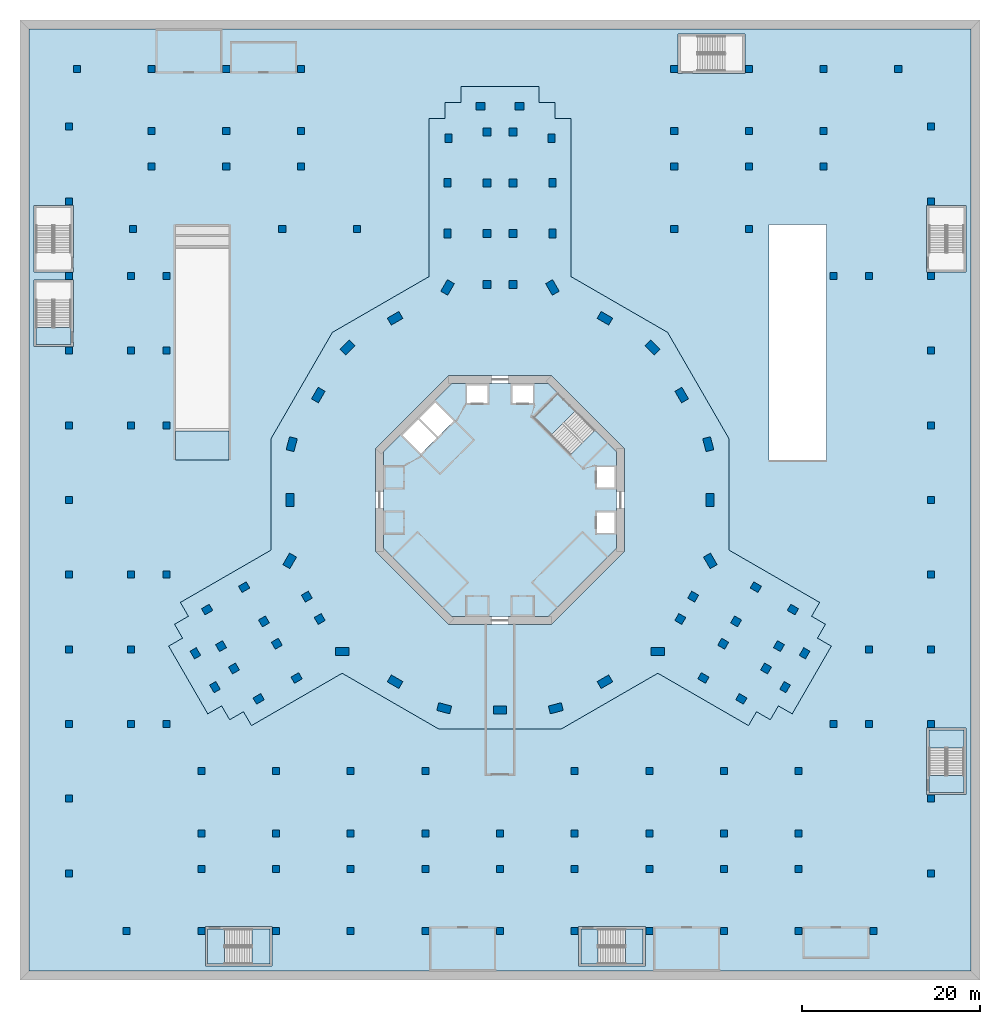
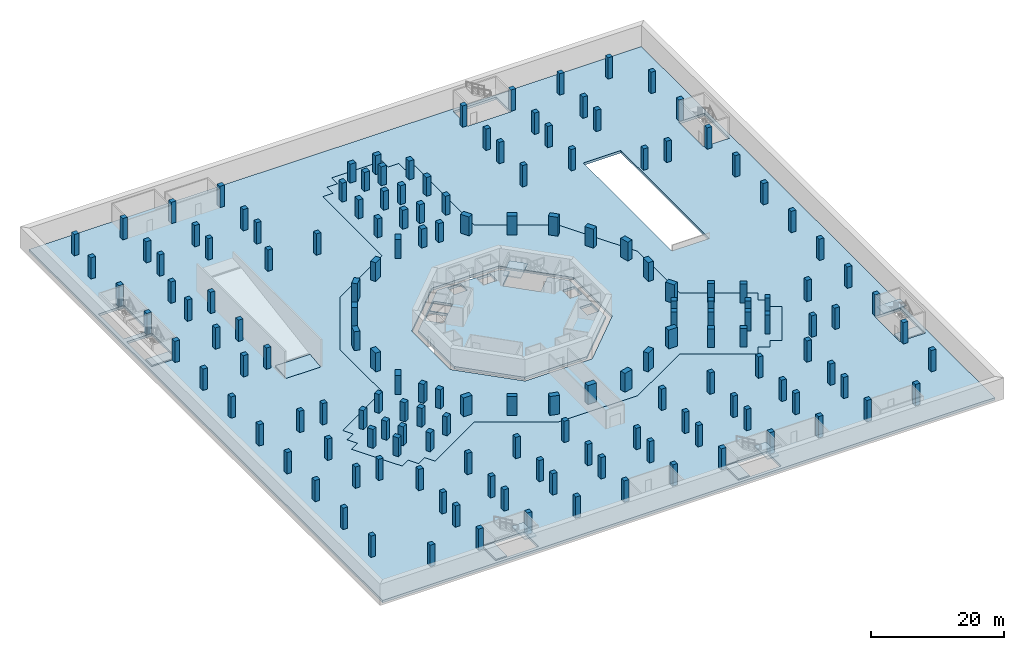
# One storey, part 1 of 25: 161 columns, 12 slabs, 5 elements without a shape of their own.
"""IFC4 building model written with IfcOpenShell, lengths in metres."""

from ifc_helpers import new_model, si_unit, direction, frame, origin, origin_2d, place, context, subcontext, project, spatial, polyline, rectangle, outline, extrude, material, layer, layer_set, material_profile, profile_set, type_object, element, aggregate, save


model = new_model("IFC4")

# Units and contexts
model_context = context("Model", 3, precision=1e-05, world=origin(), true_north=direction((0.0, 1.0)))
body_context = subcontext(model_context, "Body", "Model", "MODEL_VIEW")
ifc_project = project(units=[si_unit("LENGTHUNIT", "METRE"), si_unit("AREAUNIT", "SQUARE_METRE"), si_unit("VOLUMEUNIT", "CUBIC_METRE"), si_unit("PLANEANGLEUNIT", "RADIAN"), si_unit("MASSUNIT", "GRAM", prefix="KILO")], contexts=[model_context])

# Site, building, storey
site_placement = place(None, origin())
site = spatial("IfcSite", under=ifc_project, at=site_placement, CompositionType="ELEMENT")
building_placement = place(site_placement, origin())
building = spatial("IfcBuilding", under=site, at=building_placement, Name="Verdalira Terraces Hotel", CompositionType="ELEMENT")
storey_placement = place(building_placement, frame((0.0, 0.0, -7.800049)))
storey = spatial("IfcBuildingStorey", under=building, at=storey_placement, Name="B2", CompositionType="ELEMENT", Elevation=-7.800048828125)

# Columns
ifc_material_1 = material(Name="Concrete C80", Category="concrete")
ifc_material_profile_1 = material_profile(ifc_material_1, rectangle(XDim=1.0, YDim=0.800049, at=origin_2d()), Name="RC 1000X800")
ifc_profile_set_1 = profile_set([ifc_material_profile_1], Name="Concrete C80")
column_type_1 = type_object("IfcColumnType", Name="Column RC 1000X800 C80", PredefinedType="COLUMN", material=ifc_profile_set_1)
for number, where, z_axis, x_axis, name in (
    (1, (5.899902, 29.972168, 0.0), (0.0, 0.0, 1.0), (0.0, 1.0, 0.0), "Column C01"),
    (2, (5.899902, 35.686035, 0.0), (0.0, 0.0, 1.0), (0.0, 1.0, 0.0), "Column C02"),
    (3, (5.800049, 40.699951, 0.0), (0.0, 0.0, 1.0), (0.0, 1.0, 0.0), "Column C03"),
    (4, (-5.800049, 40.699951, 0.0), (0.0, 0.0, 1.0), (0.0, -1.0, 0.0), "Column C04"),
    (5, (-5.899902, 35.686035, 0.0), (0.0, 0.0, 1.0), (0.0, -1.0, 0.0), "Column C05"),
    (6, (-5.899902, 29.972168, 0.0), (0.0, 0.0, 1.0), (0.0, -1.0, 0.0), "Column C06"),
    (7, (-28.782715, -9.804932, 0.0), (0.0, 0.0, 1.0), (-0.866025404, -0.5, 0.0), "Column C14"),
    (8, (-32.951172, -12.327148, 0.0), (0.0, 0.0, 1.0), (-0.866025404, -0.5, 0.0), "Column C15"),
    (9, (-34.268799, -17.244629, 0.0), (0.0, 0.0, 1.0), (0.5, -0.866025404, 0.0), "Column C16"),
    (10, (-32.068848, -21.05542, 0.0), (0.0, 0.0, 1.0), (0.5, -0.866025404, 0.0), "Column C17"),
    (11, (-27.151123, -22.372803, 0.0), (0.0, 0.0, 1.0), (0.866025404, 0.5, 0.0), "Column C18"),
    (12, (-22.882812, -20.02417, 0.0), (0.0, 0.0, 1.0), (0.866025404, 0.5, 0.0), "Column C19"),
    (13, (22.882812, -20.02417, 0.0), (0.0, 0.0, 1.0), (0.866025404, -0.5, 0.0), "Column C27"),
    (14, (27.151123, -22.372803, 0.0), (0.0, 0.0, 1.0), (0.866025404, -0.5, 0.0), "Column C28"),
    (15, (32.068848, -21.05542, 0.0), (0.0, 0.0, 1.0), (0.5, 0.866025404, 0.0), "Column C29"),
    (16, (34.268799, -17.244629, 0.0), (0.0, 0.0, 1.0), (0.5, 0.866025404, 0.0), "Column C30"),
    (17, (32.951172, -12.327148, 0.0), (0.0, 0.0, 1.0), (-0.866025404, 0.5, 0.0), "Column C31"),
    (18, (28.782715, -9.804932, 0.0), (0.0, 0.0, 1.0), (-0.866025404, 0.5, 0.0), "Column C32"),
    (19, (2.199951, 44.300049, 0.0), (0.0, 0.0, 1.0), (-1.0, 0.0, 0.0), "Column C40"),
    (20, (-2.199951, 44.300049, 0.0), (0.0, 0.0, 1.0), (-1.0, 0.0, 0.0), "Column C41"),
):
    element("IfcColumn", number, at=place(storey_placement, frame(where, z_axis=z_axis, x_axis=x_axis)), inside=storey, type_object=column_type_1, Name=name, PredefinedType="COLUMN", context=body_context, shape_type="SweptSolid", body=[
        extrude(rectangle(XDim=1.0, YDim=0.800049, at=origin_2d()), origin(), (0.0, 0.0, 1.0), 3.449951),
    ])
ifc_material_2 = material(Name="Concrete C80", Category="concrete")
ifc_material_profile_2 = material_profile(ifc_material_2, rectangle(XDim=1.5, YDim=0.899902, at=origin_2d()), Name="RC 1500X900")
ifc_profile_set_2 = profile_set([ifc_material_profile_2], Name="Concrete C80")
column_type_2 = type_object("IfcColumnType", Name="Column RC 1500X900 C80", PredefinedType="COLUMN", material=ifc_profile_set_2)
for number, where, z_axis, x_axis, name in (
    (21, (-5.899902, 23.911865, 0.0), (0.0, 0.0, 1.0), (0.5, 0.866025404, 0.0), "Column C07"),
    (22, (-11.804199, 20.445312, 0.0), (0.0, 0.0, 1.0), (-0.866025404, -0.5, 0.0), "Column C08"),
    (23, (-17.150635, 17.150635, 0.0), (0.0, 0.0, 1.0), (0.707106781, 0.707106781, 0.0), "Column C09"),
    (24, (-20.445312, 11.804199, 0.0), (0.0, 0.0, 1.0), (-0.5, -0.866025404, 0.0), "Column C10"),
    (25, (-23.428223, 6.277588, 0.0), (0.0, 0.0, 1.0), (0.258819045, 0.965925826, 0.0), "Column C11"),
    (26, (-23.608398, 0.0, 0.0), (0.0, 0.0, 1.0), (0.0, -1.0, 0.0), "Column C12"),
    (27, (-23.658203, -6.846436, 0.0), (0.0, 0.0, 1.0), (0.5, 0.866025404, 0.0), "Column C13"),
    (28, (-17.758301, -17.06543, 0.0), (0.0, 0.0, 1.0), (-1.0, 0.0, 0.0), "Column C20"),
    (29, (-11.804199, -20.445312, 0.0), (0.0, 0.0, 1.0), (0.866025404, -0.5, 0.0), "Column C21"),
    (30, (-6.277588, -23.428223, 0.0), (0.0, 0.0, 1.0), (-0.965925826, 0.258819045, 0.0), "Column C22"),
    (31, (0.0, -23.608398, 0.0), (0.0, 0.0, 1.0), (1.0, 0.0, 0.0), "Column C23"),
    (32, (6.277588, -23.428223, 0.0), (0.0, 0.0, 1.0), (-0.965925826, -0.258819045, 0.0), "Column C24"),
    (33, (11.804199, -20.445312, 0.0), (0.0, 0.0, 1.0), (0.866025404, 0.5, 0.0), "Column C25"),
    (34, (17.758301, -17.06543, 0.0), (0.0, 0.0, 1.0), (-1.0, 0.0, 0.0), "Column C26"),
    (35, (23.658203, -6.846436, 0.0), (0.0, 0.0, 1.0), (0.5, -0.866025404, 0.0), "Column C33"),
    (36, (23.608398, 0.0, 0.0), (0.0, 0.0, 1.0), (0.0, 1.0, 0.0), "Column C34"),
    (37, (23.428223, 6.277588, 0.0), (0.0, 0.0, 1.0), (0.258819045, -0.965925826, 0.0), "Column C35"),
    (38, (20.445312, 11.804199, 0.0), (0.0, 0.0, 1.0), (-0.5, 0.866025404, 0.0), "Column C36"),
    (39, (17.150635, 17.150635, 0.0), (0.0, 0.0, 1.0), (0.707106781, -0.707106781, 0.0), "Column C37"),
    (40, (11.804199, 20.445312, 0.0), (0.0, 0.0, 1.0), (-0.866025404, 0.5, 0.0), "Column C38"),
    (41, (5.899902, 23.911865, 0.0), (0.0, 0.0, 1.0), (0.5, -0.866025404, 0.0), "Column C39"),
):
    element("IfcColumn", number, at=place(storey_placement, frame(where, z_axis=z_axis, x_axis=x_axis)), inside=storey, type_object=column_type_2, Name=name, PredefinedType="COLUMN", context=body_context, shape_type="SweptSolid", body=[
        extrude(rectangle(XDim=1.5, YDim=0.899902, at=origin_2d()), origin(), (0.0, 0.0, 1.0), 3.449951),
    ])
ifc_material_3 = material(Name="Concrete C60", Category="concrete")
ifc_material_profile_3 = material_profile(ifc_material_3, rectangle(XDim=0.800049, YDim=0.800049, at=origin_2d()), Name="RC 800X800")
ifc_profile_set_3 = profile_set([ifc_material_profile_3], Name="Concrete C60")
column_type_3 = type_object("IfcColumnType", Name="Column RC 800X800 C60", PredefinedType="COLUMN", material=ifc_profile_set_3)
for number, where, z_axis, x_axis, name in (
    (42, (-42.0, -48.5, 0.0), (0.0, 0.0, 1.0), (1.0, 0.0, 0.0), "Car park column 001"),
    (43, (-33.600098, -48.5, 0.0), (0.0, 0.0, 1.0), (1.0, 0.0, 0.0), "Car park column 002"),
    (44, (-25.199951, -48.5, 0.0), (0.0, 0.0, 1.0), (1.0, 0.0, 0.0), "Car park column 003"),
    (45, (-16.800049, -48.5, 0.0), (0.0, 0.0, 1.0), (1.0, 0.0, 0.0), "Car park column 004"),
    (46, (-8.399902, -48.5, 0.0), (0.0, 0.0, 1.0), (1.0, 0.0, 0.0), "Car park column 005"),
    (47, (0.0, -48.5, 0.0), (0.0, 0.0, 1.0), (1.0, 0.0, 0.0), "Car park column 006"),
    (48, (8.399902, -48.5, 0.0), (0.0, 0.0, 1.0), (1.0, 0.0, 0.0), "Car park column 007"),
    (49, (16.800049, -48.5, 0.0), (0.0, 0.0, 1.0), (1.0, 0.0, 0.0), "Car park column 008"),
    (50, (25.199951, -48.5, 0.0), (0.0, 0.0, 1.0), (1.0, 0.0, 0.0), "Car park column 009"),
    (51, (33.600098, -48.5, 0.0), (0.0, 0.0, 1.0), (1.0, 0.0, 0.0), "Car park column 010"),
    (52, (42.0, -48.5, 0.0), (0.0, 0.0, 1.0), (1.0, 0.0, 0.0), "Car park column 011"),
    (53, (-48.5, -42.0, 0.0), (0.0, 0.0, 1.0), (1.0, 0.0, 0.0), "Car park column 012"),
    (54, (48.5, -42.0, 0.0), (0.0, 0.0, 1.0), (1.0, 0.0, 0.0), "Car park column 013"),
    (55, (-33.600098, -41.5, 0.0), (0.0, 0.0, 1.0), (1.0, 0.0, 0.0), "Car park column 014"),
    (56, (-25.199951, -41.5, 0.0), (0.0, 0.0, 1.0), (1.0, 0.0, 0.0), "Car park column 015"),
    (57, (-16.800049, -41.5, 0.0), (0.0, 0.0, 1.0), (1.0, 0.0, 0.0), "Car park column 016"),
    (58, (-8.399902, -41.5, 0.0), (0.0, 0.0, 1.0), (1.0, 0.0, 0.0), "Car park column 017"),
    (59, (0.0, -41.5, 0.0), (0.0, 0.0, 1.0), (1.0, 0.0, 0.0), "Car park column 018"),
    (60, (8.399902, -41.5, 0.0), (0.0, 0.0, 1.0), (1.0, 0.0, 0.0), "Car park column 019"),
    (61, (16.800049, -41.5, 0.0), (0.0, 0.0, 1.0), (1.0, 0.0, 0.0), "Car park column 020"),
    (62, (25.199951, -41.5, 0.0), (0.0, 0.0, 1.0), (1.0, 0.0, 0.0), "Car park column 021"),
    (63, (33.600098, -41.5, 0.0), (0.0, 0.0, 1.0), (1.0, 0.0, 0.0), "Car park column 022"),
    (64, (-33.600098, -37.5, 0.0), (0.0, 0.0, 1.0), (1.0, 0.0, 0.0), "Car park column 023"),
    (65, (-25.199951, -37.5, 0.0), (0.0, 0.0, 1.0), (1.0, 0.0, 0.0), "Car park column 024"),
    (66, (-16.800049, -37.5, 0.0), (0.0, 0.0, 1.0), (1.0, 0.0, 0.0), "Car park column 025"),
    (67, (-8.399902, -37.5, 0.0), (0.0, 0.0, 1.0), (1.0, 0.0, 0.0), "Car park column 026"),
    (68, (0.0, -37.5, 0.0), (0.0, 0.0, 1.0), (1.0, 0.0, 0.0), "Car park column 027"),
    (69, (8.399902, -37.5, 0.0), (0.0, 0.0, 1.0), (1.0, 0.0, 0.0), "Car park column 028"),
    (70, (16.800049, -37.5, 0.0), (0.0, 0.0, 1.0), (1.0, 0.0, 0.0), "Car park column 029"),
    (71, (25.199951, -37.5, 0.0), (0.0, 0.0, 1.0), (1.0, 0.0, 0.0), "Car park column 030"),
    (72, (33.600098, -37.5, 0.0), (0.0, 0.0, 1.0), (1.0, 0.0, 0.0), "Car park column 031"),
    (73, (-48.5, -33.600098, 0.0), (0.0, 0.0, 1.0), (1.0, 0.0, 0.0), "Car park column 032"),
    (74, (48.5, -33.600098, 0.0), (0.0, 0.0, 1.0), (1.0, 0.0, 0.0), "Car park column 033"),
    (75, (-33.600098, -30.5, 0.0), (0.0, 0.0, 1.0), (1.0, 0.0, 0.0), "Car park column 034"),
    (76, (-25.199951, -30.5, 0.0), (0.0, 0.0, 1.0), (1.0, 0.0, 0.0), "Car park column 035"),
    (77, (-16.800049, -30.5, 0.0), (0.0, 0.0, 1.0), (1.0, 0.0, 0.0), "Car park column 036"),
    (78, (-8.399902, -30.5, 0.0), (0.0, 0.0, 1.0), (1.0, 0.0, 0.0), "Car park column 037"),
    (79, (8.399902, -30.5, 0.0), (0.0, 0.0, 1.0), (1.0, 0.0, 0.0), "Car park column 038"),
    (80, (16.800049, -30.5, 0.0), (0.0, 0.0, 1.0), (1.0, 0.0, 0.0), "Car park column 039"),
    (81, (25.199951, -30.5, 0.0), (0.0, 0.0, 1.0), (1.0, 0.0, 0.0), "Car park column 040"),
    (82, (33.600098, -30.5, 0.0), (0.0, 0.0, 1.0), (1.0, 0.0, 0.0), "Car park column 041"),
    (83, (-48.5, -25.199951, 0.0), (0.0, 0.0, 1.0), (1.0, 0.0, 0.0), "Car park column 042"),
    (84, (-41.5, -25.199951, 0.0), (0.0, 0.0, 1.0), (1.0, 0.0, 0.0), "Car park column 043"),
    (85, (-37.5, -25.199951, 0.0), (0.0, 0.0, 1.0), (1.0, 0.0, 0.0), "Car park column 044"),
    (86, (37.5, -25.199951, 0.0), (0.0, 0.0, 1.0), (1.0, 0.0, 0.0), "Car park column 045"),
    (87, (41.5, -25.199951, 0.0), (0.0, 0.0, 1.0), (1.0, 0.0, 0.0), "Car park column 046"),
    (88, (48.5, -25.199951, 0.0), (0.0, 0.0, 1.0), (1.0, 0.0, 0.0), "Car park column 047"),
    (89, (-48.5, -16.800049, 0.0), (0.0, 0.0, 1.0), (1.0, 0.0, 0.0), "Car park column 048"),
    (90, (-41.5, -16.800049, 0.0), (0.0, 0.0, 1.0), (1.0, 0.0, 0.0), "Car park column 049"),
    (91, (41.5, -16.800049, 0.0), (0.0, 0.0, 1.0), (1.0, 0.0, 0.0), "Car park column 050"),
    (92, (48.5, -16.800049, 0.0), (0.0, 0.0, 1.0), (1.0, 0.0, 0.0), "Car park column 051"),
    (93, (-48.5, -8.399902, 0.0), (0.0, 0.0, 1.0), (1.0, 0.0, 0.0), "Car park column 052"),
    (94, (-41.5, -8.399902, 0.0), (0.0, 0.0, 1.0), (1.0, 0.0, 0.0), "Car park column 053"),
    (95, (-37.5, -8.399902, 0.0), (0.0, 0.0, 1.0), (1.0, 0.0, 0.0), "Car park column 054"),
    (96, (48.5, -8.399902, 0.0), (0.0, 0.0, 1.0), (1.0, 0.0, 0.0), "Car park column 055"),
    (97, (-48.5, 0.0, 0.0), (0.0, 0.0, 1.0), (1.0, 0.0, 0.0), "Car park column 056"),
    (98, (48.5, 0.0, 0.0), (0.0, 0.0, 1.0), (1.0, 0.0, 0.0), "Car park column 057"),
    (99, (-48.5, 8.399902, 0.0), (0.0, 0.0, 1.0), (1.0, 0.0, 0.0), "Car park column 058"),
    (100, (-41.5, 8.399902, 0.0), (0.0, 0.0, 1.0), (1.0, 0.0, 0.0), "Car park column 059"),
    (101, (-37.5, 8.399902, 0.0), (0.0, 0.0, 1.0), (1.0, 0.0, 0.0), "Car park column 060"),
    (102, (48.5, 8.399902, 0.0), (0.0, 0.0, 1.0), (1.0, 0.0, 0.0), "Car park column 061"),
    (103, (-48.5, 16.800049, 0.0), (0.0, 0.0, 1.0), (1.0, 0.0, 0.0), "Car park column 062"),
    (104, (-41.5, 16.800049, 0.0), (0.0, 0.0, 1.0), (1.0, 0.0, 0.0), "Car park column 063"),
    (105, (-37.5, 16.800049, 0.0), (0.0, 0.0, 1.0), (1.0, 0.0, 0.0), "Car park column 064"),
    (106, (48.5, 16.800049, 0.0), (0.0, 0.0, 1.0), (1.0, 0.0, 0.0), "Car park column 065"),
    (107, (-48.5, 25.199951, 0.0), (0.0, 0.0, 1.0), (1.0, 0.0, 0.0), "Car park column 066"),
    (108, (-41.5, 25.199951, 0.0), (0.0, 0.0, 1.0), (1.0, 0.0, 0.0), "Car park column 067"),
    (109, (-37.5, 25.199951, 0.0), (0.0, 0.0, 1.0), (1.0, 0.0, 0.0), "Car park column 068"),
    (110, (37.5, 25.199951, 0.0), (0.0, 0.0, 1.0), (1.0, 0.0, 0.0), "Car park column 069"),
    (111, (41.5, 25.199951, 0.0), (0.0, 0.0, 1.0), (1.0, 0.0, 0.0), "Car park column 070"),
    (112, (48.5, 25.199951, 0.0), (0.0, 0.0, 1.0), (1.0, 0.0, 0.0), "Car park column 071"),
    (113, (-41.300049, 30.5, 0.0), (0.0, 0.0, 1.0), (1.0, 0.0, 0.0), "Car park column 072"),
    (114, (-24.5, 30.5, 0.0), (0.0, 0.0, 1.0), (1.0, 0.0, 0.0), "Car park column 073"),
    (115, (-16.100098, 30.5, 0.0), (0.0, 0.0, 1.0), (1.0, 0.0, 0.0), "Car park column 074"),
    (116, (19.600098, 30.5, 0.0), (0.0, 0.0, 1.0), (1.0, 0.0, 0.0), "Car park column 075"),
    (117, (28.0, 30.5, 0.0), (0.0, 0.0, 1.0), (1.0, 0.0, 0.0), "Car park column 076"),
    (118, (-48.5, 33.600098, 0.0), (0.0, 0.0, 1.0), (1.0, 0.0, 0.0), "Car park column 077"),
    (119, (48.5, 33.600098, 0.0), (0.0, 0.0, 1.0), (1.0, 0.0, 0.0), "Car park column 078"),
    (120, (-39.199951, 37.5, 0.0), (0.0, 0.0, 1.0), (1.0, 0.0, 0.0), "Car park column 079"),
    (121, (-30.800049, 37.5, 0.0), (0.0, 0.0, 1.0), (1.0, 0.0, 0.0), "Car park column 080"),
    (122, (-22.399902, 37.5, 0.0), (0.0, 0.0, 1.0), (1.0, 0.0, 0.0), "Car park column 081"),
    (123, (19.600098, 37.5, 0.0), (0.0, 0.0, 1.0), (1.0, 0.0, 0.0), "Car park column 082"),
    (124, (28.0, 37.5, 0.0), (0.0, 0.0, 1.0), (1.0, 0.0, 0.0), "Car park column 083"),
    (125, (36.399902, 37.5, 0.0), (0.0, 0.0, 1.0), (1.0, 0.0, 0.0), "Car park column 084"),
    (126, (-39.199951, 41.5, 0.0), (0.0, 0.0, 1.0), (1.0, 0.0, 0.0), "Car park column 085"),
    (127, (-30.800049, 41.5, 0.0), (0.0, 0.0, 1.0), (1.0, 0.0, 0.0), "Car park column 086"),
    (128, (-22.399902, 41.5, 0.0), (0.0, 0.0, 1.0), (1.0, 0.0, 0.0), "Car park column 087"),
    (129, (19.600098, 41.5, 0.0), (0.0, 0.0, 1.0), (1.0, 0.0, 0.0), "Car park column 088"),
    (130, (28.0, 41.5, 0.0), (0.0, 0.0, 1.0), (1.0, 0.0, 0.0), "Car park column 089"),
    (131, (36.399902, 41.5, 0.0), (0.0, 0.0, 1.0), (1.0, 0.0, 0.0), "Car park column 090"),
    (132, (-48.5, 42.0, 0.0), (0.0, 0.0, 1.0), (1.0, 0.0, 0.0), "Car park column 091"),
    (133, (48.5, 42.0, 0.0), (0.0, 0.0, 1.0), (1.0, 0.0, 0.0), "Car park column 092"),
    (134, (-47.600098, 48.5, 0.0), (0.0, 0.0, 1.0), (1.0, 0.0, 0.0), "Car park column 093"),
    (135, (-39.199951, 48.5, 0.0), (0.0, 0.0, 1.0), (1.0, 0.0, 0.0), "Car park column 094"),
    (136, (-30.800049, 48.5, 0.0), (0.0, 0.0, 1.0), (1.0, 0.0, 0.0), "Car park column 095"),
    (137, (-22.399902, 48.5, 0.0), (0.0, 0.0, 1.0), (1.0, 0.0, 0.0), "Car park column 096"),
    (138, (19.600098, 48.5, 0.0), (0.0, 0.0, 1.0), (1.0, 0.0, 0.0), "Car park column 097"),
    (139, (28.0, 48.5, 0.0), (0.0, 0.0, 1.0), (1.0, 0.0, 0.0), "Car park column 098"),
    (140, (36.399902, 48.5, 0.0), (0.0, 0.0, 1.0), (1.0, 0.0, 0.0), "Car park column 099"),
    (141, (44.800049, 48.5, 0.0), (0.0, 0.0, 1.0), (1.0, 0.0, 0.0), "Car park column 100"),
):
    element("IfcColumn", number, at=place(storey_placement, frame(where, z_axis=z_axis, x_axis=x_axis)), inside=storey, type_object=column_type_3, Name=name, PredefinedType="COLUMN", context=body_context, shape_type="SweptSolid", body=[
        extrude(rectangle(XDim=0.800049, YDim=0.800049, at=origin_2d()), origin(), (0.0, 0.0, 1.0), 3.900146),
    ])
ifc_material_4 = material(Name="Concrete C80", Category="concrete")
ifc_material_profile_4 = material_profile(ifc_material_4, rectangle(XDim=0.899902, YDim=0.899902, at=origin_2d()), Name="RC 900X900")
ifc_profile_set_4 = profile_set([ifc_material_profile_4], Name="Concrete C80")
column_type_4 = type_object("IfcColumnType", Name="Column RC 900X900 C80", PredefinedType="COLUMN", material=ifc_profile_set_4)
for number, where, z_axis, x_axis, name in (
    (142, (1.449951, 24.258301, 0.0), (0.0, 0.0, 1.0), (0.0, 1.0, 0.0), "Column C42"),
    (143, (-1.449951, 24.258301, 0.0), (0.0, 0.0, 1.0), (0.0, 1.0, 0.0), "Column C43"),
    (144, (1.449951, 29.972168, 0.0), (0.0, 0.0, 1.0), (0.0, 1.0, 0.0), "Column C44"),
    (145, (-1.449951, 29.972168, 0.0), (0.0, 0.0, 1.0), (0.0, 1.0, 0.0), "Column C45"),
    (146, (1.449951, 35.686035, 0.0), (0.0, 0.0, 1.0), (0.0, 1.0, 0.0), "Column C46"),
    (147, (-1.449951, 35.686035, 0.0), (0.0, 0.0, 1.0), (0.0, 1.0, 0.0), "Column C47"),
    (148, (1.449951, 41.399902, 0.0), (0.0, 0.0, 1.0), (0.0, 1.0, 0.0), "Column C48"),
    (149, (-1.449951, 41.399902, 0.0), (0.0, 0.0, 1.0), (0.0, 1.0, 0.0), "Column C49"),
    (150, (-21.733398, -10.873291, 0.0), (0.0, 0.0, 1.0), (-0.866025404, -0.5, 0.0), "Column C50"),
    (151, (-20.283203, -13.38501, 0.0), (0.0, 0.0, 1.0), (-0.866025404, -0.5, 0.0), "Column C51"),
    (152, (-26.557861, -13.658691, 0.0), (0.0, 0.0, 1.0), (-0.866025404, -0.5, 0.0), "Column C52"),
    (153, (-25.10791, -16.17041, 0.0), (0.0, 0.0, 1.0), (-0.866025404, -0.5, 0.0), "Column C53"),
    (154, (-31.382324, -16.444336, 0.0), (0.0, 0.0, 1.0), (-0.866025404, -0.5, 0.0), "Column C54"),
    (155, (-29.932373, -18.955811, 0.0), (0.0, 0.0, 1.0), (-0.866025404, -0.5, 0.0), "Column C55"),
    (156, (20.283203, -13.38501, 0.0), (0.0, 0.0, 1.0), (0.866025404, -0.5, 0.0), "Column C56"),
    (157, (21.733398, -10.873291, 0.0), (0.0, 0.0, 1.0), (0.866025404, -0.5, 0.0), "Column C57"),
    (158, (25.10791, -16.17041, 0.0), (0.0, 0.0, 1.0), (0.866025404, -0.5, 0.0), "Column C58"),
    (159, (26.557861, -13.658691, 0.0), (0.0, 0.0, 1.0), (0.866025404, -0.5, 0.0), "Column C59"),
    (160, (29.932373, -18.955811, 0.0), (0.0, 0.0, 1.0), (0.866025404, -0.5, 0.0), "Column C60"),
    (161, (31.382324, -16.444336, 0.0), (0.0, 0.0, 1.0), (0.866025404, -0.5, 0.0), "Column C61"),
):
    element("IfcColumn", number, at=place(storey_placement, frame(where, z_axis=z_axis, x_axis=x_axis)), inside=storey, type_object=column_type_4, Name=name, PredefinedType="COLUMN", context=body_context, shape_type="SweptSolid", body=[
        extrude(rectangle(XDim=0.899902, YDim=0.899902, at=origin_2d()), origin(), (0.0, 0.0, 1.0), 3.449951),
    ])

# Slab
ifc_material_5 = material(Name="Concrete C40", Category="concrete")
ifc_layer_1 = layer(ifc_material_5, 0.449951171875)
ifc_layer_set_1 = layer_set([ifc_layer_1], Name="Car park floor slab 450 C40")
slab_type_1 = type_object("IfcSlabType", Name="Car park floor slab 450 C40", PredefinedType="FLOOR", material=ifc_layer_set_1)
slab_1_placement = place(storey_placement, frame((0.0, 0.0, -0.449951)))
element("IfcSlab", 162, at=slab_1_placement, inside=storey, type_object=slab_type_1, Name="Car park floor slab", PredefinedType="FLOOR", context=body_context, shape_type="SweptSolid", body=[
    extrude(outline(polyline([(-53.0, -53.0), (53.0, -53.0), (53.0, 53.0), (-53.0, 53.0), (-53.0, -53.0)]), holes=[polyline([(52.449951, -33.149902), (48.0, -33.149902), (48.0, -25.649902), (52.449951, -25.649902), (52.449951, -33.149902)]), polyline([(52.449951, 33.149902), (52.449951, 25.649902), (48.0, 25.649902), (48.0, 33.149902), (52.449951, 33.149902)]), polyline([(-8.0, 42.899902), (-6.199951, 42.899902), (-6.199951, 44.699951), (-4.399902, 44.699951), (-4.399902, 46.5), (4.399902, 46.5), (4.399902, 44.699951), (6.199951, 44.699951), (6.199951, 42.899902), (8.0, 42.899902), (8.0, 25.124512), (18.856445, 18.856445), (25.758301, 6.901855), (25.758301, -5.634033), (35.956299, -11.521729), (35.056396, -13.080566), (36.615234, -13.980713), (35.715088, -15.539551), (37.273926, -16.439453), (32.874023, -24.060547), (31.315186, -23.1604), (30.415283, -24.719482), (28.856201, -23.819336), (27.956299, -25.378174), (17.758301, -19.490479), (6.901855, -25.758301), (-6.901855, -25.758301), (-17.758301, -19.490479), (-27.956299, -25.378174), (-28.856201, -23.819336), (-30.415283, -24.719482), (-31.315186, -23.1604), (-32.874023, -24.060547), (-37.273926, -16.439453), (-35.715088, -15.539551), (-36.615234, -13.980713), (-35.056396, -13.080566), (-35.956299, -11.521729), (-25.758301, -5.634033), (-25.758301, 6.901855), (-18.856445, 18.856445), (-8.0, 25.124512), (-8.0, 42.899902)]), polyline([(30.25, 4.5), (30.25, 31.0), (36.75, 31.0), (36.75, 4.5), (30.25, 4.5)]), polyline([(20.050049, 48.0), (20.050049, 52.449951), (27.550049, 52.449951), (27.550049, 48.0), (20.050049, 48.0)]), polyline([(16.350098, -52.449951), (8.850098, -52.449951), (8.850098, -48.0), (16.350098, -48.0), (16.350098, -52.449951)]), polyline([(-25.649902, -48.0), (-25.649902, -52.449951), (-33.149902, -52.449951), (-33.149902, -48.0), (-25.649902, -48.0)]), polyline([(-30.5, 4.50293), (-36.5, 4.50293), (-36.5, 7.78418), (-30.5, 7.78418), (-30.5, 4.50293)]), polyline([(-52.449951, 17.25), (-52.449951, 24.75), (-48.0, 24.75), (-48.0, 17.25), (-52.449951, 17.25)]), polyline([(-52.449951, 33.149902), (-48.0, 33.149902), (-48.0, 25.649902), (-52.449951, 25.649902), (-52.449951, 33.149902)])]), origin(), (0.0, 0.0, 1.0), 0.449951),
])

# Ramp, slab
ifc_material_6 = material(Name="Concrete C40", Category="concrete")
ifc_layer_2 = layer(ifc_material_6, 0.35009765625)
ifc_layer_set_2 = layer_set([ifc_layer_2], Name="Ramp 350 C40")
ramp_type = type_object("IfcRampType", Name="Ramp 350 C40", PredefinedType="STRAIGHT_RUN_RAMP", material=ifc_layer_set_2)
ramp_placement = place(storey_placement, origin())
ramp = element("IfcRamp", 163, at=ramp_placement, inside=storey, type_object=ramp_type, Name="Ramp from B1 to B2", PredefinedType="STRAIGHT_RUN_RAMP")
ifc_material_7 = material(Name="Concrete C40", Category="concrete")
ifc_layer_3 = layer(ifc_material_7, 0.35009765625)
ifc_layer_set_3 = layer_set([ifc_layer_3], Name="Car park ramp slab 350 C40")
slab_type_2 = type_object("IfcSlabType", Name="Car park ramp slab 350 C40", PredefinedType="FLOOR", material=ifc_layer_set_3)
slab_2_placement = place(storey_placement, frame((-36.5, 7.74585, 0.356934), z_axis=(0.0, -0.109307237, 0.994008012), x_axis=(1.0, 0.0, 0.0)))
slab_2 = element("IfcSlab", 164, at=slab_2_placement, type_object=slab_type_2, Name="Ramp from B1 to B2 vehicle ramp slab 3", PredefinedType="FLOOR", context=body_context, shape_type="SweptSolid", body=[
    extrude(outline(polyline([(0.0, 0.0), (6.0, 0.0), (6.0, -3.265416), (0.0, -3.265416), (0.0, 0.0)])), origin(), (0.0, 0.0, -1.0), 0.350098),
])
aggregate(ramp, [slab_2])

# Stair, slab
ifc_material_8 = material(Name="Concrete C40", Category="concrete")
stair_type_1 = type_object("IfcStairType", Name="Car park stair 24 risers", PredefinedType="HALF_TURN_STAIR", material=ifc_material_8)
stair_1_placement = place(storey_placement, origin())
stair_1 = element("IfcStair", 165, at=stair_1_placement, inside=storey, type_object=stair_type_1, Name="B2 Exit stair Basement stair 1", PredefinedType="HALF_TURN_STAIR")
ifc_material_9 = material(Name="Concrete C40", Category="concrete")
ifc_layer_4 = layer(ifc_material_9, 0.199951171875)
ifc_layer_set_4 = layer_set([ifc_layer_4], Name="Car park stair landing 200 mm")
slab_type_3 = type_object("IfcSlabType", Name="Car park stair landing 200 mm", PredefinedType="LANDING", material=ifc_layer_set_4)
slab_3_placement = place(storey_placement, frame((0.0, 0.0, 1.75)))
slab_3 = element("IfcSlab", 166, at=slab_3_placement, type_object=slab_type_3, Name="Basement stair 1 landing 1", PredefinedType="LANDING", context=body_context, shape_type="SweptSolid", body=[
    extrude(outline(polyline([(-27.895508, -52.199951), (-25.899902, -52.199951), (-25.899902, -48.25), (-27.895508, -48.25), (-27.895508, -52.199951)])), origin(), (0.0, 0.0, 1.0), 0.199951),
])
aggregate(stair_1, [slab_3])

stair_2_placement = place(storey_placement, origin())
stair_2 = element("IfcStair", 167, at=stair_2_placement, inside=storey, type_object=stair_type_1, Name="B2 Exit stair Basement stair 2", PredefinedType="HALF_TURN_STAIR")
slab_4_placement = place(storey_placement, frame((0.0, 0.0, 1.75)))
slab_4 = element("IfcSlab", 168, at=slab_4_placement, type_object=slab_type_3, Name="Basement stair 2 landing 1", PredefinedType="LANDING", context=body_context, shape_type="SweptSolid", body=[
    extrude(outline(polyline([(52.199951, -27.895508), (52.199951, -25.899902), (48.25, -25.899902), (48.25, -27.895508), (52.199951, -27.895508)])), origin(), (0.0, 0.0, 1.0), 0.199951),
])
aggregate(stair_2, [slab_4])

stair_3_placement = place(storey_placement, origin())
stair_3 = element("IfcStair", 169, at=stair_3_placement, inside=storey, type_object=stair_type_1, Name="B2 Exit stair Basement stair 6", PredefinedType="HALF_TURN_STAIR")
slab_5_placement = place(storey_placement, frame((0.0, 0.0, 1.75)))
slab_5 = element("IfcSlab", 170, at=slab_5_placement, type_object=slab_type_3, Name="Basement stair 6 landing 1", PredefinedType="LANDING", context=body_context, shape_type="SweptSolid", body=[
    extrude(outline(polyline([(14.104492, -52.199951), (16.100098, -52.199951), (16.100098, -48.25), (14.104492, -48.25), (14.104492, -52.199951)])), origin(), (0.0, 0.0, 1.0), 0.199951),
])
aggregate(stair_3, [slab_5])

# Slab
ifc_material_10 = material(Name="Concrete C40", Category="concrete")
ifc_layer_5 = layer(ifc_material_10, 0.449951171875)
ifc_layer_set_5 = layer_set([ifc_layer_5], Name="Core floor slab 450 mm")
slab_type_4 = type_object("IfcSlabType", Name="Core floor slab 450 mm", PredefinedType="FLOOR", material=ifc_layer_set_5)
slab_6_placement = place(storey_placement, frame((0.0, 0.0, -0.449951)))
element("IfcSlab", 171, at=slab_6_placement, inside=storey, type_object=slab_type_4, Name="B2 core floor", PredefinedType="FLOOR", context=body_context, shape_type="SweptSolid", body=[
    extrude(outline(polyline([(5.42627, 13.100098), (6.491211, 12.034912), (3.719482, 9.263184), (7.905029, 5.077393), (10.677002, 7.849121), (13.100098, 5.42627), (13.100098, -5.42627), (5.42627, -13.100098), (-5.42627, -13.100098), (-13.100098, -5.42627), (-13.100098, 5.42627), (-5.42627, 13.100098), (5.42627, 13.100098)]), holes=[polyline([(12.899902, -1.399902), (10.899902, -1.399902), (10.899902, -3.699951), (12.899902, -3.699951), (12.899902, -1.399902)]), polyline([(12.899902, 3.699951), (10.899902, 3.699951), (10.899902, 1.399902), (12.899902, 1.399902), (12.899902, 3.699951)]), polyline([(3.699951, 10.899902), (3.699951, 12.899902), (1.399902, 12.899902), (1.399902, 10.899902), (3.699951, 10.899902)]), polyline([(-1.399902, 10.899902), (-1.399902, 12.899902), (-3.699951, 12.899902), (-3.699951, 10.899902), (-1.399902, 10.899902)]), polyline([(-6.965088, 7.106445), (-5.197266, 8.874268), (-7.283203, 10.960205), (-9.051025, 9.192383), (-6.965088, 7.106445)]), polyline([(-10.960205, 7.283203), (-8.874268, 5.197266), (-7.106445, 6.965088), (-9.192383, 9.051025), (-10.960205, 7.283203)])]), origin(), (0.0, 0.0, 1.0), 0.449951),
])

# Stair, slab
ifc_material_11 = material(Name="Concrete C40", Category="concrete")
stair_type_2 = type_object("IfcStairType", Name="Core stair 24 risers 1900 mm wide", PredefinedType="HALF_TURN_STAIR", material=ifc_material_11)
stair_4_placement = place(storey_placement, origin())
stair_4 = element("IfcStair", 172, at=stair_4_placement, inside=storey, type_object=stair_type_2, Name="B2 Exit stair ST1", PredefinedType="HALF_TURN_STAIR")
ifc_material_12 = material(Name="Concrete C40", Category="concrete")
ifc_layer_6 = layer(ifc_material_12, 0.199951171875)
ifc_layer_set_6 = layer_set([ifc_layer_6], Name="Core stair landing 200 mm")
slab_type_5 = type_object("IfcSlabType", Name="Core stair landing 200 mm", PredefinedType="LANDING", material=ifc_layer_set_6)
slab_7_placement = place(storey_placement, frame((0.0, 0.0, 1.75)))
slab_7 = element("IfcSlab", 173, at=slab_7_placement, type_object=slab_type_5, Name="ST1 landing 1", PredefinedType="LANDING", context=body_context, shape_type="SweptSolid", body=[
    extrude(outline(polyline([(8.499756, 10.026367), (6.505371, 12.020752), (3.747559, 9.263184), (5.741943, 7.268799), (8.499756, 10.026367)])), origin(), (0.0, 0.0, 1.0), 0.199951),
])
aggregate(stair_4, [slab_7])

# Slabs
ifc_material_13 = material(Name="Concrete C40", Category="concrete")
ifc_layer_7 = layer(ifc_material_13, 0.449951171875)
ifc_layer_set_7 = layer_set([ifc_layer_7], Name="Floor slab 450 C40")
slab_type_6 = type_object("IfcSlabType", Name="Floor slab 450 C40", PredefinedType="FLOOR", material=ifc_layer_set_7)
slab_8_placement = place(storey_placement, frame((0.0, 0.0, -0.449951)))
element("IfcSlab", 174, at=slab_8_placement, inside=storey, type_object=slab_type_6, Name="Floor slab B2", PredefinedType="FLOOR", context=body_context, shape_type="SweptSolid", body=[
    extrude(outline(polyline([(18.856445, 18.856445), (8.0, 25.124512), (8.0, 42.899902), (6.199951, 42.899902), (6.199951, 44.699951), (4.399902, 44.699951), (4.399902, 46.5), (-4.399902, 46.5), (-4.399902, 44.699951), (-6.199951, 44.699951), (-6.199951, 42.899902), (-8.0, 42.899902), (-8.0, 25.124512), (-18.856445, 18.856445), (-25.758301, 6.901855), (-25.758301, -5.634033), (-35.956299, -11.521729), (-35.056396, -13.080566), (-36.615234, -13.980713), (-35.715088, -15.539551), (-37.273926, -16.439453), (-32.874023, -24.060547), (-31.315186, -23.1604), (-30.415283, -24.719482), (-28.856201, -23.819336), (-27.956299, -25.378174), (-17.758301, -19.490479), (-6.901855, -25.758301), (6.901855, -25.758301), (17.758301, -19.490479), (27.956299, -25.378174), (28.856201, -23.819336), (30.415283, -24.719482), (31.315186, -23.1604), (32.874023, -24.060547), (37.273926, -16.439453), (35.715088, -15.539551), (36.615234, -13.980713), (35.056396, -13.080566), (35.956299, -11.521729), (25.758301, -5.634033), (25.758301, 6.901855), (18.856445, 18.856445)]), holes=[polyline([(5.799072, 14.0), (14.0, 5.799072), (14.0, -5.799072), (5.799072, -14.0), (-5.799072, -14.0), (-14.0, -5.799072), (-14.0, 5.799072), (-5.799072, 14.0), (5.799072, 14.0)])]), origin(), (0.0, 0.0, 1.0), 0.449951),
])
ifc_material_14 = material(Name="Concrete C40", Category="concrete")
ifc_layer_8 = layer(ifc_material_14, 0.449951171875)
ifc_layer_set_8 = layer_set([ifc_layer_8], Name="Stair enclosure floor slab 450 C40")
slab_type_7 = type_object("IfcSlabType", Name="Stair enclosure floor slab 450 C40", PredefinedType="FLOOR", material=ifc_layer_set_8)
slab_9_placement = place(storey_placement, frame((0.0, 0.0, -0.449951)))
element("IfcSlab", 175, at=slab_9_placement, inside=storey, type_object=slab_type_7, Name="Stair BS1 floor slab", PredefinedType="FLOOR", context=body_context, shape_type="SweptSolid", body=[
    extrude(outline(polyline([(-32.899902, -48.25), (-30.975098, -48.25), (-30.975098, -52.199951), (-32.899902, -52.199951), (-32.899902, -48.25)])), origin(), (0.0, 0.0, 1.0), 0.449951),
])
slab_10_placement = place(storey_placement, frame((0.0, 0.0, -0.449951)))
element("IfcSlab", 176, at=slab_10_placement, inside=storey, type_object=slab_type_7, Name="Stair BS2 floor slab", PredefinedType="FLOOR", context=body_context, shape_type="SweptSolid", body=[
    extrude(outline(polyline([(48.25, -30.975098), (52.199951, -30.975098), (52.199951, -32.899902), (48.25, -32.899902), (48.25, -30.975098)])), origin(), (0.0, 0.0, 1.0), 0.449951),
])
slab_11_placement = place(storey_placement, frame((0.0, 0.0, -0.449951)))
element("IfcSlab", 177, at=slab_11_placement, inside=storey, type_object=slab_type_7, Name="Stair BS6 floor slab", PredefinedType="FLOOR", context=body_context, shape_type="SweptSolid", body=[
    extrude(outline(polyline([(9.100098, -48.25), (11.024902, -48.25), (11.024902, -52.199951), (9.100098, -52.199951), (9.100098, -48.25)])), origin(), (0.0, 0.0, 1.0), 0.449951),
])
slab_12_placement = place(storey_placement, frame((0.0, 0.0, -0.449951)))
element("IfcSlab", 178, at=slab_12_placement, inside=storey, type_object=slab_type_7, Name="Stair BS7 floor slab", PredefinedType="FLOOR", context=body_context, shape_type="SweptSolid", body=[
    extrude(outline(polyline([(-52.199951, 19.425049), (-48.25, 19.425049), (-48.25, 17.5), (-52.199951, 17.5), (-52.199951, 19.425049)])), origin(), (0.0, 0.0, 1.0), 0.449951),
])

save(model, "model.ifc")
